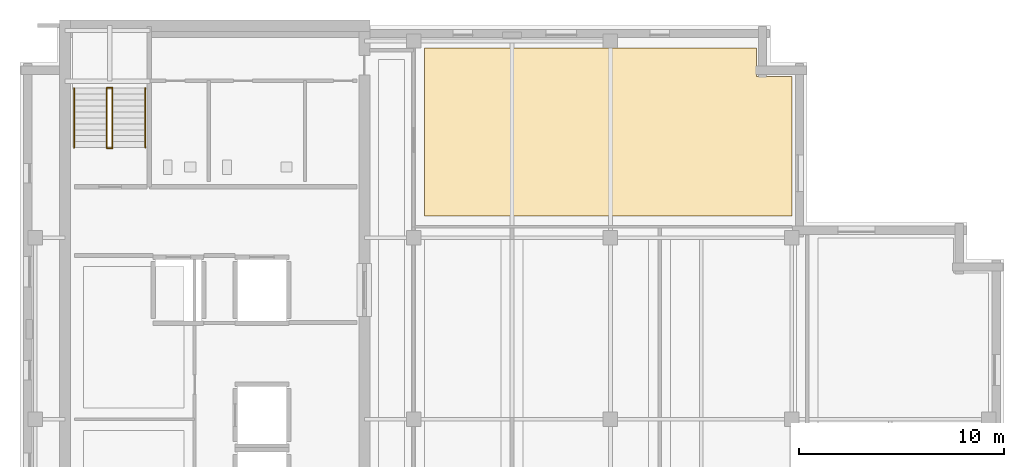
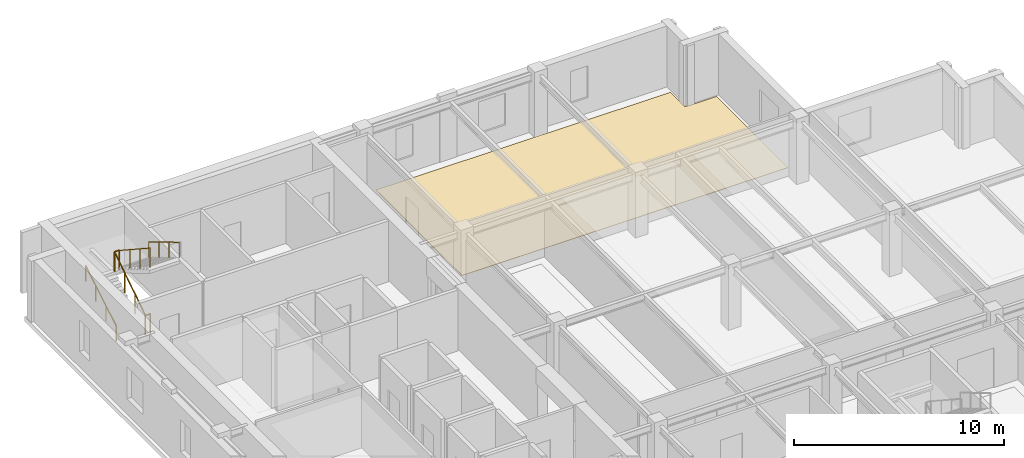
# One storey, part 10 of 11: 6 railings, 1 covering.
"""IFC4 building model written with IfcOpenShell, lengths in metres."""

from ifc_helpers import new_model, si_unit, direction, frame, origin, origin_2d, place, context, subcontext, project, spatial, polyline, circle, outline, extrude, material, layer, layer_set, type_object, element, save


model = new_model("IFC4")

# Units and contexts
model_context = context("Model", 3, precision=1e-05, world=origin(), true_north=direction((0.0, 1.0)))
body_context = subcontext(model_context, "Body", "Model", "MODEL_VIEW")
ifc_project = project(units=[si_unit("LENGTHUNIT", "METRE"), si_unit("AREAUNIT", "SQUARE_METRE"), si_unit("VOLUMEUNIT", "CUBIC_METRE"), si_unit("PLANEANGLEUNIT", "RADIAN"), si_unit("MASSUNIT", "GRAM", prefix="KILO")], contexts=[model_context])

# Site, building, storey
site_placement = place(None, origin())
site = spatial("IfcSite", under=ifc_project, at=site_placement, CompositionType="ELEMENT")
building_placement = place(site_placement, origin())
building = spatial("IfcBuilding", under=site, at=building_placement, Name="Norrvale University Quadrangle", CompositionType="ELEMENT")
storey_placement = place(building_placement, frame((0.0, 0.0, 284.800048828125)))
storey = spatial("IfcBuildingStorey", under=building, at=storey_placement, Name="L72", CompositionType="ELEMENT", Elevation=284.800048828125)

# Covering
ifc_material_1 = material(Name="Polished Terrazzo Flooring")
ifc_layer = layer(ifc_material_1, 0.02490234375, Name="Polished Terrazzo Flooring")
ifc_layer_set = layer_set([ifc_layer], Name="Polished Terrazzo Flooring")
covering_type = type_object("IfcCoveringType", Name="Covering Terrazzo Floor 30", PredefinedType="FLOORING", material=ifc_layer_set)
covering_placement = place(storey_placement, origin())
element("IfcCovering", 1, at=covering_placement, inside=storey, type_object=covering_type, Name="Terrazzo Flooring RM-L72-NE01", PredefinedType="FLOORING", context=body_context, shape_type="SweptSolid", body=[
    extrude(outline(polyline([(37.64990234375, 38.7099609375), (19.72998046875, 38.7099609375), (19.72998046875, 46.919921875), (35.929931640625, 46.919921875), (35.929931640625, 45.530029296875), (37.64990234375, 45.530029296875), (37.64990234375, 38.7099609375)])), origin(), (0.0, 0.0, 1.0), 0.02490234375),
])

# Railings
ifc_material_2 = material(Name="Steel 350W Painted Balustrade", Category="steel")
railing_type_1 = type_object("IfcRailingType", Name="Railing Stair Guard 1100", PredefinedType="GUARDRAIL", material=ifc_material_2)
for number, where, name in (
    (2, (4.239990234375, 42.02001953125, 0.0), "Stair Floor Well Guard ST-02 L72"),
    (3, (4.239990234375, 44.97998046875, 1.89990234375), "Stair Mid-Landing Slot Guard ST-02 L72"),
):
    element("IfcRailing", number, at=place(storey_placement, frame(where)), inside=storey, type_object=railing_type_1, Name=name, PredefinedType="GUARDRAIL", context=body_context, shape_type="SweptSolid", body=[
        extrude(circle(Radius=0.02392578125, at=origin_2d()), frame((0.0, 0.0, 1.1259765625), z_axis=(1.0, 0.0, 0.0), x_axis=(0.0, 1.0, 0.0)), (0.0, 0.0, 1.0), 0.27001953125),
        extrude(circle(Radius=0.02099609375, at=origin_2d()), origin(), (0.0, 0.0, 1.0), 1.101806640625),
        extrude(circle(Radius=0.02099609375, at=origin_2d()), frame((0.27001953125, 0.0, 0.0)), (0.0, 0.0, 1.0), 1.101806640625),
    ])
railing_1_placement = place(storey_placement, frame((4.239990234375, 42.050048828125, 0.0)))
element("IfcRailing", 4, at=railing_1_placement, inside=storey, type_object=railing_type_1, Name="Stair Lower Flight Inner Guard ST-02 L72", PredefinedType="GUARDRAIL", context=body_context, shape_type="SweptSolid", body=[
    extrude(circle(Radius=0.02392578125, at=origin_2d()), frame((0.0, 0.0, 1.1259765625), z_axis=(0.0, 0.836465582154, 0.548019461216), x_axis=(-1.0, 0.0, 0.0)), (0.0, 0.0, 1.0), 3.466796875),
    extrude(circle(Radius=0.02099609375, at=origin_2d()), origin(), (0.0, 0.0, 1.0), 1.101806640625),
    extrude(circle(Radius=0.02099609375, at=origin_2d()), frame((0.0, 0.966552734375, 0.63330078125)), (0.0, 0.0, 1.0), 1.101806640625),
    extrude(circle(Radius=0.02099609375, at=origin_2d()), frame((0.0, 1.933349609375, 1.2666015625)), (0.0, 0.0, 1.0), 1.101806640625),
    extrude(circle(Radius=0.02099609375, at=origin_2d()), frame((0.0, 2.89990234375, 1.89990234375)), (0.0, 0.0, 1.0), 1.101806640625),
])
railing_2_placement = place(storey_placement, frame((4.510009765625, 44.949951171875, 1.89990234375)))
element("IfcRailing", 5, at=railing_2_placement, inside=storey, type_object=railing_type_1, Name="Stair Upper Flight Inner Guard ST-02 L72", PredefinedType="GUARDRAIL", context=body_context, shape_type="SweptSolid", body=[
    extrude(circle(Radius=0.02392578125, at=origin_2d()), frame((0.0, 0.0, 1.1259765625), z_axis=(0.0, -0.836433300813, 0.548068730445), x_axis=(1.0, 0.0, 0.0)), (0.0, 0.0, 1.0), 3.467041015625),
    extrude(circle(Radius=0.02099609375, at=origin_2d()), origin(), (0.0, 0.0, 1.0), 1.101806640625),
    extrude(circle(Radius=0.02099609375, at=origin_2d()), frame((0.0, -0.966552734375, 0.63330078125)), (0.0, 0.0, 1.0), 1.101806640625),
    extrude(circle(Radius=0.02099609375, at=origin_2d()), frame((0.0, -1.933349609375, 1.266845703125)), (0.0, 0.0, 1.0), 1.101806640625),
    extrude(circle(Radius=0.02099609375, at=origin_2d()), frame((0.0, -2.89990234375, 1.900146484375)), (0.0, 0.0, 1.0), 1.101806640625),
])
ifc_material_3 = material(Name="Stainless Steel 316L Handrail", Category="steel")
railing_type_2 = type_object("IfcRailingType", Name="Railing Stair Handrail 920", PredefinedType="HANDRAIL", material=ifc_material_3)
railing_3_placement = place(storey_placement, frame((2.639892578125, 42.050048828125, 0.172607421875)))
element("IfcRailing", 6, at=railing_3_placement, inside=storey, type_object=railing_type_2, Name="Stair Lower Flight Handrail ST-02 L72", PredefinedType="HANDRAIL", context=body_context, shape_type="SweptSolid", body=[
    extrude(circle(Radius=0.02392578125, at=origin_2d()), frame((0.0, 0.0, 0.89599609375), z_axis=(0.0, 0.859141464434, 0.511738159696), x_axis=(-1.0, 0.0, 0.0)), (0.0, 0.0, 1.0), 3.375244140625),
    extrude(circle(Radius=0.02099609375, at=origin_2d()), origin(), (0.0, 0.0, 1.0), 0.871826171875),
    extrude(circle(Radius=0.02099609375, at=origin_2d()), frame((0.0, 0.966552734375, 0.57568359375)), (0.0, 0.0, 1.0), 0.871826171875),
    extrude(circle(Radius=0.02099609375, at=origin_2d()), frame((0.0, 1.933349609375, 1.151611328125)), (0.0, 0.0, 1.0), 0.871826171875),
    extrude(circle(Radius=0.02099609375, at=origin_2d()), frame((0.0, 2.89990234375, 1.727294921875)), (0.0, 0.0, 1.0), 0.871826171875),
])
railing_4_placement = place(storey_placement, frame((6.110107421875, 44.949951171875, 2.07275390625)))
element("IfcRailing", 7, at=railing_4_placement, inside=storey, type_object=railing_type_2, Name="Stair Upper Flight Handrail ST-02 L72", PredefinedType="HANDRAIL", context=body_context, shape_type="SweptSolid", body=[
    extrude(circle(Radius=0.02392578125, at=origin_2d()), frame((0.0, 0.0, 0.89599609375), z_axis=(0.0, -0.859141464434, 0.511738159696), x_axis=(1.0, 0.0, 0.0)), (0.0, 0.0, 1.0), 3.375244140625),
    extrude(circle(Radius=0.02099609375, at=origin_2d()), origin(), (0.0, 0.0, 1.0), 0.871826171875),
    extrude(circle(Radius=0.02099609375, at=origin_2d()), frame((0.0, -0.966552734375, 0.57568359375)), (0.0, 0.0, 1.0), 0.871826171875),
    extrude(circle(Radius=0.02099609375, at=origin_2d()), frame((0.0, -1.933349609375, 1.151611328125)), (0.0, 0.0, 1.0), 0.871826171875),
    extrude(circle(Radius=0.02099609375, at=origin_2d()), frame((0.0, -2.89990234375, 1.727294921875)), (0.0, 0.0, 1.0), 0.871826171875),
])

save(model, "model.ifc")
